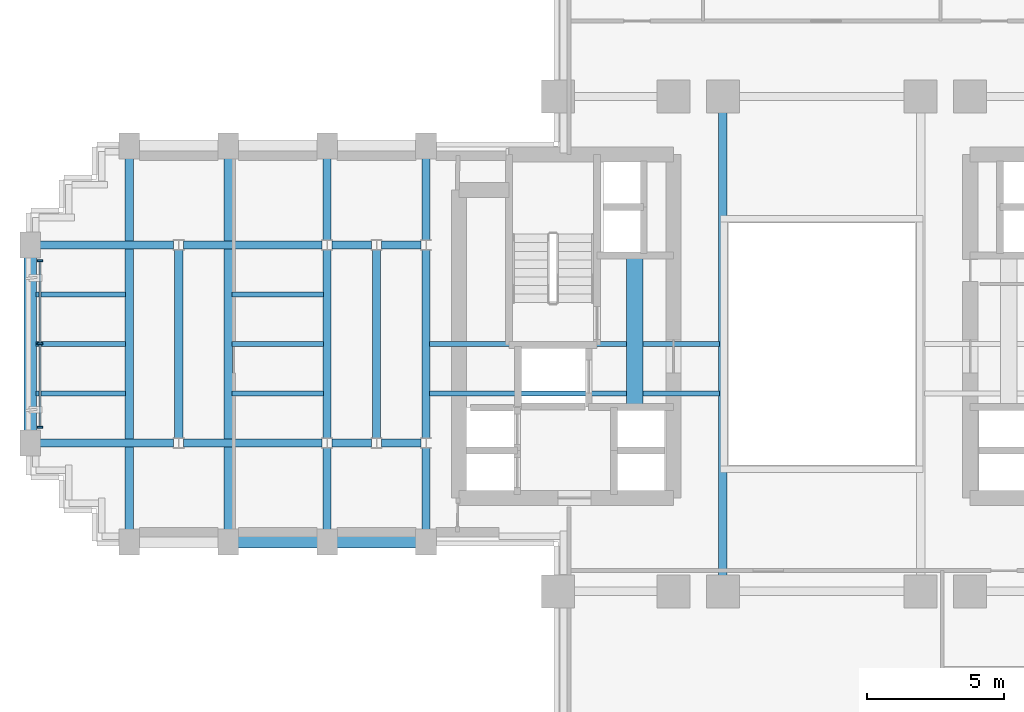
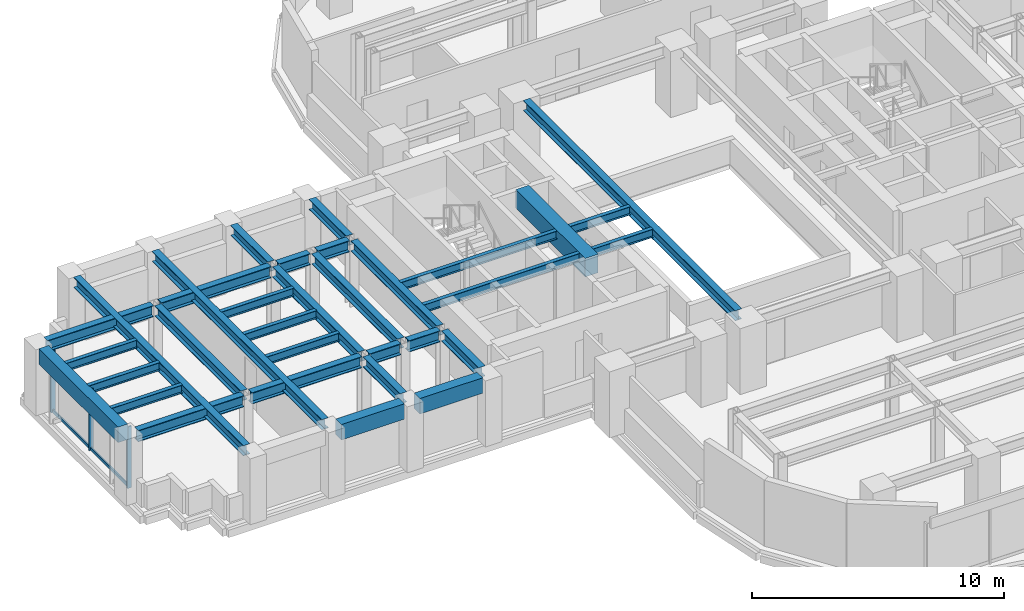
# One storey, part 4 of 16: 31 beams, 5 members, 1 element without a shape of its own.
"""IFC4 building model written with IfcOpenShell, lengths in metres."""

from ifc_helpers import new_model, si_unit, direction, frame, origin, origin_2d, place, context, subcontext, project, spatial, rectangle, i_section, extrude, source, transform, mapped, material, material_profile, profile_set, type_object, element, aggregate, save


model = new_model("IFC4")

# Units and contexts
model_context = context("Model", 3, precision=1e-05, world=origin(), true_north=direction((0.0, 1.0)))
body_context = subcontext(model_context, "Body", "Model", "MODEL_VIEW")
ifc_project = project(units=[si_unit("LENGTHUNIT", "METRE"), si_unit("AREAUNIT", "SQUARE_METRE"), si_unit("VOLUMEUNIT", "CUBIC_METRE"), si_unit("PLANEANGLEUNIT", "RADIAN"), si_unit("MASSUNIT", "GRAM", prefix="KILO")], contexts=[model_context])

# Site, building, storey
site_placement = place(None, origin())
site = spatial("IfcSite", under=ifc_project, at=site_placement, CompositionType="ELEMENT")
building_placement = place(site_placement, origin())
building = spatial("IfcBuilding", under=site, at=building_placement, Name="Keilestroom Media Tower", CompositionType="ELEMENT")
storey_placement = place(building_placement, frame((0.0, 0.0, 64.60009765625)))
storey = spatial("IfcBuildingStorey", under=building, at=storey_placement, Name="L16", CompositionType="ELEMENT", Elevation=64.60009765625)

# Beams
ifc_material_1 = material(Name="Concrete C70/85", Category="concrete")
ifc_material_profile_1 = material_profile(ifc_material_1, rectangle(XDim=0.60009765625, YDim=0.89990234375, at=origin_2d()), Name="RC 600x900")
ifc_profile_set_1 = profile_set([ifc_material_profile_1], Name="Concrete C70/85")
beam_type_1 = type_object("IfcBeamType", Name="Core-Coupling-Lintel-Beam-RC-600x900", PredefinedType="LINTEL", material=ifc_profile_set_1)
shared_shape_1 = source(origin(), body_context, "Body", "SweptSolid", [
    extrude(rectangle(XDim=0.60009765625, YDim=0.89990234375, at=origin_2d()), origin(), (0.0, 0.0, 1.0), 5.52001953125),
])
beam_1_placement = place(storey_placement, frame((-6.800048828125, -2.300048828125, 2.75), z_axis=(0.0, 1.0, 0.0), x_axis=(-1.0, 0.0, 0.0)))
element("IfcBeam", 1, at=beam_1_placement, inside=storey, type_object=beam_type_1, Name="L16 Beam CLB-1 CLB-L16-W", PredefinedType="LINTEL", context=body_context, shape_type="MappedRepresentation", body=[
    mapped(shared_shape_1, transform((0.0, 0.0, 0.0), x_axis=(1.0, 0.0, 0.0), y_axis=(0.0, 1.0, 0.0), z_axis=(0.0, 0.0, 1.0), scale=1.0)),
])
ifc_material_2 = material(Name="Precast concrete C40/50", Category="concrete")
ifc_material_profile_2 = material_profile(ifc_material_2, rectangle(XDim=0.449951171875, YDim=0.75, at=origin_2d()), Name="PC 450x750")
ifc_profile_set_2 = profile_set([ifc_material_profile_2], Name="Precast concrete C40/50")
beam_type_2 = type_object("IfcBeamType", Name="Perimeter-Spandrel-Beam-PC-450x750", PredefinedType="SPANDREL", material=ifc_profile_set_2)
shared_shape_2 = source(origin(), body_context, "Body", "SweptSolid", [
    extrude(rectangle(XDim=0.449951171875, YDim=0.75, at=origin_2d()), origin(), (0.0, 0.0, 1.0), 6.2900390625),
])
beam_2_placement = place(storey_placement, frame((-28.800048828125, -3.14501953125, 2.824951171875), z_axis=(0.0, 1.0, 0.0), x_axis=(-1.0, 0.0, 0.0)))
element("IfcBeam", 2, at=beam_2_placement, inside=storey, type_object=beam_type_2, Name="L16 Beam SPB-1 BM-L16-NS-051", PredefinedType="SPANDREL", context=body_context, shape_type="MappedRepresentation", body=[
    mapped(shared_shape_2, transform((0.0, 0.0, 0.0), x_axis=(1.0, 0.0, 0.0), y_axis=(0.0, 1.0, 0.0), z_axis=(0.0, 0.0, 1.0), scale=1.0)),
])
shared_shape_3 = source(origin(), body_context, "Body", "SweptSolid", [
    extrude(rectangle(XDim=0.449951171875, YDim=0.75, at=origin_2d()), origin(), (0.0, 0.0, 1.0), 2.89013671875),
])
for number, where, z_axis, x_axis, name in (
    (3, (-21.2451171875, -7.199951171875, 2.824951171875), (1.0, 0.0, 0.0), (0.0, 1.0, 0.0), "L16 Beam SPB-1 BM-L16-EW-013"),
    (4, (-17.64501953125, -7.199951171875, 2.824951171875), (1.0, 0.0, 0.0), (0.0, 1.0, 0.0), "L16 Beam SPB-1 BM-L16-EW-014"),
):
    element("IfcBeam", number, at=place(storey_placement, frame(where, z_axis=z_axis, x_axis=x_axis)), inside=storey, type_object=beam_type_2, Name=name, PredefinedType="SPANDREL", context=body_context, shape_type="MappedRepresentation", body=[
        mapped(shared_shape_3, transform((0.0, 0.0, 0.0), x_axis=(1.0, 0.0, 0.0), y_axis=(0.0, 1.0, 0.0), z_axis=(0.0, 0.0, 1.0), scale=1.0)),
    ])
ifc_material_3 = material(Name="Steel S355", Category="steel")
ifc_material_profile_3 = material_profile(ifc_material_3, i_section(OverallWidth=0.300048828125, OverallDepth=0.550048828125, WebThickness=0.012939453125, FlangeThickness=0.029052734375, at=origin_2d()), Name="HEB 550")
ifc_profile_set_3 = profile_set([ifc_material_profile_3], Name="Steel S355")
beam_type_3 = type_object("IfcBeamType", Name="Primary-Structural-Girder-HEB-550", PredefinedType="BEAM", material=ifc_profile_set_3)
shared_shape_4 = source(origin(), body_context, "Body", "SweptSolid", [
    extrude(i_section(OverallWidth=0.300048828125, OverallDepth=0.550048828125, WebThickness=0.012939453125, FlangeThickness=0.029052734375, at=origin_2d()), origin(), (0.0, 0.0, 1.0), 4.863037109375),
])
for number, where, z_axis, x_axis, name in (
    (5, (-28.445068359375, -3.60009765625, 2.9248046875), (1.0, 0.0, 0.0), (0.0, 1.0, 0.0), "L16 Beam BG-5 BM-L16-EW-018"),
    (6, (-28.445068359375, 3.60009765625, 2.9248046875), (1.0, 0.0, 0.0), (0.0, 1.0, 0.0), "L16 Beam BG-5 BM-L16-EW-026"),
):
    element("IfcBeam", number, at=place(storey_placement, frame(where, z_axis=z_axis, x_axis=x_axis)), inside=storey, type_object=beam_type_3, Name=name, PredefinedType="BEAM", context=body_context, shape_type="MappedRepresentation", body=[
        mapped(shared_shape_4, transform((0.0, 0.0, 0.0), x_axis=(1.0, 0.0, 0.0), y_axis=(0.0, 1.0, 0.0), z_axis=(0.0, 0.0, 1.0), scale=1.0)),
    ])
shared_shape_5 = source(origin(), body_context, "Body", "SweptSolid", [
    extrude(i_section(OverallWidth=0.300048828125, OverallDepth=0.550048828125, WebThickness=0.012939453125, FlangeThickness=0.029052734375, at=origin_2d()), origin(), (0.0, 0.0, 1.0), 5.0361328125),
])
for number, where, z_axis, x_axis, name in (
    (7, (-23.218017578125, -3.60009765625, 2.9248046875), (1.0, 0.0, 0.0), (0.0, 1.0, 0.0), "L16 Beam BG-5 BM-L16-EW-019"),
    (8, (-23.218017578125, 3.60009765625, 2.9248046875), (1.0, 0.0, 0.0), (0.0, 1.0, 0.0), "L16 Beam BG-5 BM-L16-EW-027"),
):
    element("IfcBeam", number, at=place(storey_placement, frame(where, z_axis=z_axis, x_axis=x_axis)), inside=storey, type_object=beam_type_3, Name=name, PredefinedType="BEAM", context=body_context, shape_type="MappedRepresentation", body=[
        mapped(shared_shape_5, transform((0.0, 0.0, 0.0), x_axis=(1.0, 0.0, 0.0), y_axis=(0.0, 1.0, 0.0), z_axis=(0.0, 0.0, 1.0), scale=1.0)),
    ])
shared_shape_6 = source(origin(), body_context, "Body", "SweptSolid", [
    extrude(i_section(OverallWidth=0.300048828125, OverallDepth=0.550048828125, WebThickness=0.012939453125, FlangeThickness=0.029052734375, at=origin_2d()), origin(), (0.0, 0.0, 1.0), 1.43603515625),
])
for number, where, z_axis, x_axis, name in (
    (9, (-17.818115234375, -3.60009765625, 2.9248046875), (1.0, 0.0, 0.0), (0.0, 1.0, 0.0), "L16 Beam BG-5 BM-L16-EW-020"),
    (10, (-16.01806640625, -3.60009765625, 2.9248046875), (1.0, 0.0, 0.0), (0.0, 1.0, 0.0), "L16 Beam BG-5 BM-L16-EW-021"),
    (11, (-17.818115234375, 3.60009765625, 2.9248046875), (1.0, 0.0, 0.0), (0.0, 1.0, 0.0), "L16 Beam BG-5 BM-L16-EW-028"),
    (12, (-16.01806640625, 3.60009765625, 2.9248046875), (1.0, 0.0, 0.0), (0.0, 1.0, 0.0), "L16 Beam BG-5 BM-L16-EW-029"),
):
    element("IfcBeam", number, at=place(storey_placement, frame(where, z_axis=z_axis, x_axis=x_axis)), inside=storey, type_object=beam_type_3, Name=name, PredefinedType="BEAM", context=body_context, shape_type="MappedRepresentation", body=[
        mapped(shared_shape_6, transform((0.0, 0.0, 0.0), x_axis=(1.0, 0.0, 0.0), y_axis=(0.0, 1.0, 0.0), z_axis=(0.0, 0.0, 1.0), scale=1.0)),
    ])
ifc_material_profile_4 = material_profile(ifc_material_3, i_section(OverallWidth=0.300048828125, OverallDepth=0.5, WebThickness=0.012451171875, FlangeThickness=0.028076171875, at=origin_2d()), Name="HEB 500")
ifc_profile_set_4 = profile_set([ifc_material_profile_4], Name="Steel S355")
beam_type_4 = type_object("IfcBeamType", Name="Primary-Structural-Girder-HEB-500", PredefinedType="BEAM", material=ifc_profile_set_4)
shared_shape_7 = source(origin(), body_context, "Body", "SweptSolid", [
    extrude(i_section(OverallWidth=0.300048828125, OverallDepth=0.5, WebThickness=0.012451171875, FlangeThickness=0.028076171875, at=origin_2d()), origin(), (0.0, 0.0, 1.0), 13.490234375),
])
for number, where, z_axis, x_axis, name in (
    (13, (-25.199951171875, -6.7451171875, 2.949951171875), (0.0, 1.0, 0.0), (-1.0, 0.0, 0.0), "L16 Beam BG-6 BM-L16-NS-052"),
    (14, (-21.60009765625, -6.7451171875, 2.949951171875), (0.0, 1.0, 0.0), (-1.0, 0.0, 0.0), "L16 Beam BG-6 BM-L16-NS-054"),
):
    element("IfcBeam", number, at=place(storey_placement, frame(where, z_axis=z_axis, x_axis=x_axis)), inside=storey, type_object=beam_type_4, Name=name, PredefinedType="BEAM", context=body_context, shape_type="MappedRepresentation", body=[
        mapped(shared_shape_7, transform((0.0, 0.0, 0.0), x_axis=(1.0, 0.0, 0.0), y_axis=(0.0, 1.0, 0.0), z_axis=(0.0, 0.0, 1.0), scale=1.0)),
    ])
shared_shape_8 = source(origin(), body_context, "Body", "SweptSolid", [
    extrude(i_section(OverallWidth=0.300048828125, OverallDepth=0.5, WebThickness=0.012451171875, FlangeThickness=0.028076171875, at=origin_2d()), origin(), (0.0, 0.0, 1.0), 6.8330078125),
])
for number, where, z_axis, x_axis, name in (
    (15, (-23.39990234375, -3.41650390625, 2.949951171875), (0.0, 1.0, 0.0), (-1.0, 0.0, 0.0), "L16 Beam BG-6 BM-L16-NS-053"),
    (16, (-18.0, -3.41650390625, 2.949951171875), (0.0, 1.0, 0.0), (-1.0, 0.0, 0.0), "L16 Beam BG-6 BM-L16-NS-056"),
    (17, (-16.199951171875, -3.41650390625, 2.949951171875), (0.0, 1.0, 0.0), (-1.0, 0.0, 0.0), "L16 Beam BG-6 BM-L16-NS-058"),
    (18, (-14.39990234375, -3.41650390625, 2.949951171875), (0.0, 1.0, 0.0), (-1.0, 0.0, 0.0), "L16 Beam BG-6 BM-L16-NS-060"),
):
    element("IfcBeam", number, at=place(storey_placement, frame(where, z_axis=z_axis, x_axis=x_axis)), inside=storey, type_object=beam_type_4, Name=name, PredefinedType="BEAM", context=body_context, shape_type="MappedRepresentation", body=[
        mapped(shared_shape_8, transform((0.0, 0.0, 0.0), x_axis=(1.0, 0.0, 0.0), y_axis=(0.0, 1.0, 0.0), z_axis=(0.0, 0.0, 1.0), scale=1.0)),
    ])
shared_shape_9 = source(origin(), body_context, "Body", "SweptSolid", [
    extrude(i_section(OverallWidth=0.300048828125, OverallDepth=0.5, WebThickness=0.012451171875, FlangeThickness=0.028076171875, at=origin_2d()), origin(), (0.0, 0.0, 1.0), 2.961669921875),
])
for number, where, z_axis, x_axis, name in (
    (19, (-18.0, -6.7451171875, 2.949951171875), (0.0, 1.0, 0.0), (-1.0, 0.0, 0.0), "L16 Beam BG-6 BM-L16-NS-055"),
    (20, (-18.0, 3.783447265625, 2.949951171875), (0.0, 1.0, 0.0), (-1.0, 0.0, 0.0), "L16 Beam BG-6 BM-L16-NS-057"),
    (21, (-14.39990234375, -6.7451171875, 2.949951171875), (0.0, 1.0, 0.0), (-1.0, 0.0, 0.0), "L16 Beam BG-6 BM-L16-NS-059"),
    (22, (-14.39990234375, 3.783447265625, 2.949951171875), (0.0, 1.0, 0.0), (-1.0, 0.0, 0.0), "L16 Beam BG-6 BM-L16-NS-061"),
):
    element("IfcBeam", number, at=place(storey_placement, frame(where, z_axis=z_axis, x_axis=x_axis)), inside=storey, type_object=beam_type_4, Name=name, PredefinedType="BEAM", context=body_context, shape_type="MappedRepresentation", body=[
        mapped(shared_shape_9, transform((0.0, 0.0, 0.0), x_axis=(1.0, 0.0, 0.0), y_axis=(0.0, 1.0, 0.0), z_axis=(0.0, 0.0, 1.0), scale=1.0)),
    ])
shared_shape_10 = source(origin(), body_context, "Body", "SweptSolid", [
    extrude(i_section(OverallWidth=0.300048828125, OverallDepth=0.5, WebThickness=0.012451171875, FlangeThickness=0.028076171875, at=origin_2d()), origin(), (0.0, 0.0, 1.0), 16.83984375),
])
beam_3_placement = place(storey_placement, frame((-3.60009765625, -8.419921875, 2.949951171875), z_axis=(0.0, 1.0, 0.0), x_axis=(-1.0, 0.0, 0.0)))
element("IfcBeam", 23, at=beam_3_placement, inside=storey, type_object=beam_type_4, Name="L16 Beam BG-6 BM-L16-NS-066", PredefinedType="BEAM", context=body_context, shape_type="MappedRepresentation", body=[
    mapped(shared_shape_10, transform((0.0, 0.0, 0.0), x_axis=(1.0, 0.0, 0.0), y_axis=(0.0, 1.0, 0.0), z_axis=(0.0, 0.0, 1.0), scale=1.0)),
])
ifc_material_profile_5 = material_profile(ifc_material_3, i_section(OverallWidth=0.179931640625, OverallDepth=0.39990234375, WebThickness=0.008544921875, FlangeThickness=0.013427734375, at=origin_2d()), Name="IPE 400")
ifc_profile_set_5 = profile_set([ifc_material_profile_5], Name="Steel S355")
beam_type_5 = type_object("IfcBeamType", Name="Secondary-Floor-Joist-IPE-400", PredefinedType="JOIST", material=ifc_profile_set_5)
shared_shape_11 = source(origin(), body_context, "Body", "SweptSolid", [
    extrude(i_section(OverallWidth=0.179931640625, OverallDepth=0.39990234375, WebThickness=0.008544921875, FlangeThickness=0.013427734375, at=origin_2d()), origin(), (0.0, 0.0, 1.0), 3.264892578125),
])
for number, where, z_axis, x_axis, name in (
    (24, (-28.594970703125, -1.800048828125, 3.0), (1.0, 0.0, 0.0), (0.0, 1.0, 0.0), "L16 Beam BJ-4 JST-L16-089"),
    (25, (-28.594970703125, 0.0, 3.0), (1.0, 0.0, 0.0), (0.0, 1.0, 0.0), "L16 Beam BJ-4 JST-L16-096"),
    (26, (-28.594970703125, 1.800048828125, 3.0), (1.0, 0.0, 0.0), (0.0, 1.0, 0.0), "L16 Beam BJ-4 JST-L16-103"),
):
    element("IfcBeam", number, at=place(storey_placement, frame(where, z_axis=z_axis, x_axis=x_axis)), inside=storey, type_object=beam_type_5, Name=name, PredefinedType="JOIST", context=body_context, shape_type="MappedRepresentation", body=[
        mapped(shared_shape_11, transform((0.0, 0.0, 0.0), x_axis=(1.0, 0.0, 0.0), y_axis=(0.0, 1.0, 0.0), z_axis=(0.0, 0.0, 1.0), scale=1.0)),
    ])
shared_shape_12 = source(origin(), body_context, "Body", "SweptSolid", [
    extrude(i_section(OverallWidth=0.179931640625, OverallDepth=0.39990234375, WebThickness=0.008544921875, FlangeThickness=0.013427734375, at=origin_2d()), origin(), (0.0, 0.0, 1.0), 3.340087890625),
])
for number, where, z_axis, x_axis, name in (
    (27, (-21.469970703125, -1.800048828125, 3.0), (1.0, 0.0, 0.0), (0.0, 1.0, 0.0), "L16 Beam BJ-4 JST-L16-090"),
    (28, (-21.469970703125, 0.0, 3.0), (1.0, 0.0, 0.0), (0.0, 1.0, 0.0), "L16 Beam BJ-4 JST-L16-097"),
    (29, (-21.469970703125, 1.800048828125, 3.0), (1.0, 0.0, 0.0), (0.0, 1.0, 0.0), "L16 Beam BJ-4 JST-L16-104"),
):
    element("IfcBeam", number, at=place(storey_placement, frame(where, z_axis=z_axis, x_axis=x_axis)), inside=storey, type_object=beam_type_5, Name=name, PredefinedType="JOIST", context=body_context, shape_type="MappedRepresentation", body=[
        mapped(shared_shape_12, transform((0.0, 0.0, 0.0), x_axis=(1.0, 0.0, 0.0), y_axis=(0.0, 1.0, 0.0), z_axis=(0.0, 0.0, 1.0), scale=1.0)),
    ])
shared_shape_13 = source(origin(), body_context, "Body", "SweptSolid", [
    extrude(i_section(OverallWidth=0.179931640625, OverallDepth=0.39990234375, WebThickness=0.008544921875, FlangeThickness=0.013427734375, at=origin_2d()), origin(), (0.0, 0.0, 1.0), 10.5400390625),
])
for number, where, z_axis, x_axis, name in (
    (30, (-14.27001953125, -1.800048828125, 3.0), (1.0, 0.0, 0.0), (0.0, 1.0, 0.0), "L16 Beam BJ-4 JST-L16-091"),
    (31, (-14.27001953125, 0.0, 3.0), (1.0, 0.0, 0.0), (0.0, 1.0, 0.0), "L16 Beam BJ-4 JST-L16-098"),
):
    element("IfcBeam", number, at=place(storey_placement, frame(where, z_axis=z_axis, x_axis=x_axis)), inside=storey, type_object=beam_type_5, Name=name, PredefinedType="JOIST", context=body_context, shape_type="MappedRepresentation", body=[
        mapped(shared_shape_13, transform((0.0, 0.0, 0.0), x_axis=(1.0, 0.0, 0.0), y_axis=(0.0, 1.0, 0.0), z_axis=(0.0, 0.0, 1.0), scale=1.0)),
    ])

# Curtain wall, members
ifc_material_4 = material(Name="Anodised Aluminium Alloy", Category="aluminium")
curtain_wall_type = type_object("IfcCurtainWallType", Name="Unitised-Curtain-Wall-CW-1", PredefinedType="NOTDEFINED", material=ifc_material_4)
curtain_wall_placement = place(storey_placement, origin())
curtain_wall = element("IfcCurtainWall", 32, at=curtain_wall_placement, inside=storey, type_object=curtain_wall_type, Name="L16 Curtain Wall CW-1 CW-L16-W-1", PredefinedType="NOTDEFINED")
ifc_material_profile_6 = material_profile(ifc_material_4, rectangle(XDim=0.070068359375, YDim=0.199951171875, at=origin_2d()), Name="ALU MULLION 70x200")
ifc_profile_set_6 = profile_set([ifc_material_profile_6], Name="Anodised Aluminium Alloy")
member_type_1 = type_object("IfcMemberType", Name="Curtain-Wall-Mullion-CW-1", PredefinedType="MULLION", material=ifc_profile_set_6)
shared_shape_14 = source(origin(), body_context, "Body", "SweptSolid", [
    extrude(rectangle(XDim=0.070068359375, YDim=0.199951171875, at=origin_2d()), origin(), (0.0, 0.0, 1.0), 2.97998046875),
])
member_1_placement = place(storey_placement, frame((-28.449951171875, -3.030029296875, 0.0), z_axis=(0.0, 0.0, 1.0), x_axis=(0.0, 1.0, 0.0)))
member_1 = element("IfcMember", 33, at=member_1_placement, type_object=member_type_1, Name="CW-1 Mullion 00", PredefinedType="MULLION", context=body_context, shape_type="MappedRepresentation", body=[
    mapped(shared_shape_14, transform((0.0, 0.0, 0.0), x_axis=(1.0, 0.0, 0.0), y_axis=(0.0, 1.0, 0.0), z_axis=(0.0, 0.0, 1.0), scale=1.0)),
])
member_2_placement = place(storey_placement, frame((-28.449951171875, 0.0, 0.0), z_axis=(0.0, 0.0, 1.0), x_axis=(0.0, 1.0, 0.0)))
member_2 = element("IfcMember", 34, at=member_2_placement, type_object=member_type_1, Name="CW-1 Mullion 01", PredefinedType="MULLION", context=body_context, shape_type="MappedRepresentation", body=[
    mapped(shared_shape_14, transform((0.0, 0.0, 0.0), x_axis=(1.0, 0.0, 0.0), y_axis=(0.0, 1.0, 0.0), z_axis=(0.0, 0.0, 1.0), scale=1.0)),
])
member_3_placement = place(storey_placement, frame((-28.449951171875, 3.030029296875, 0.0), z_axis=(0.0, 0.0, 1.0), x_axis=(0.0, 1.0, 0.0)))
member_3 = element("IfcMember", 35, at=member_3_placement, type_object=member_type_1, Name="CW-1 Mullion 02", PredefinedType="MULLION", context=body_context, shape_type="MappedRepresentation", body=[
    mapped(shared_shape_14, transform((0.0, 0.0, 0.0), x_axis=(1.0, 0.0, 0.0), y_axis=(0.0, 1.0, 0.0), z_axis=(0.0, 0.0, 1.0), scale=1.0)),
])
ifc_material_profile_7 = material_profile(ifc_material_4, rectangle(XDim=0.06494140625, YDim=0.14990234375, at=origin_2d()), Name="ALU TRANSOM 65x150")
ifc_profile_set_7 = profile_set([ifc_material_profile_7], Name="Anodised Aluminium Alloy")
member_type_2 = type_object("IfcMemberType", Name="Curtain-Wall-Transom-CW-1", PredefinedType="USERDEFINED", material=ifc_profile_set_7)
shared_shape_15 = source(origin(), body_context, "Body", "SweptSolid", [
    extrude(rectangle(XDim=0.06494140625, YDim=0.14990234375, at=origin_2d()), origin(), (0.0, 0.0, 1.0), 2.964111328125),
])
member_4_placement = place(storey_placement, frame((-28.449951171875, -2.9970703125, 0.074951171875), z_axis=(0.0, 1.0, 0.0), x_axis=(-1.0, 0.0, 0.0)))
member_4 = element("IfcMember", 36, at=member_4_placement, type_object=member_type_2, Name="CW-1 Transom 00.1", ObjectType="TRANSOM", PredefinedType="USERDEFINED", context=body_context, shape_type="MappedRepresentation", body=[
    mapped(shared_shape_15, transform((0.0, 0.0, 0.0), x_axis=(1.0, 0.0, 0.0), y_axis=(0.0, 1.0, 0.0), z_axis=(0.0, 0.0, 1.0), scale=1.0)),
])
member_5_placement = place(storey_placement, frame((-28.449951171875, 0.032958984375, 0.074951171875), z_axis=(0.0, 1.0, 0.0), x_axis=(-1.0, 0.0, 0.0)))
member_5 = element("IfcMember", 37, at=member_5_placement, type_object=member_type_2, Name="CW-1 Transom 01.1", ObjectType="TRANSOM", PredefinedType="USERDEFINED", context=body_context, shape_type="MappedRepresentation", body=[
    mapped(shared_shape_15, transform((0.0, 0.0, 0.0), x_axis=(1.0, 0.0, 0.0), y_axis=(0.0, 1.0, 0.0), z_axis=(0.0, 0.0, 1.0), scale=1.0)),
])
aggregate(curtain_wall, [member_1, member_2, member_3, member_4, member_5])

save(model, "model.ifc")
